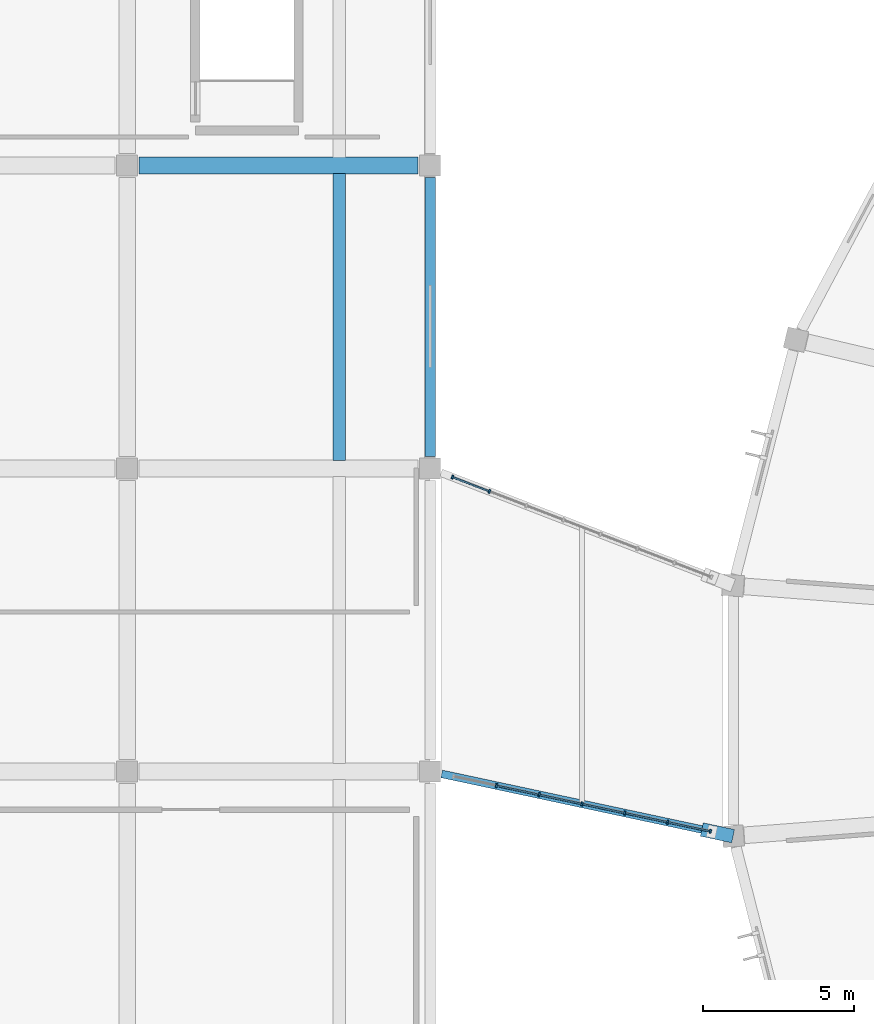
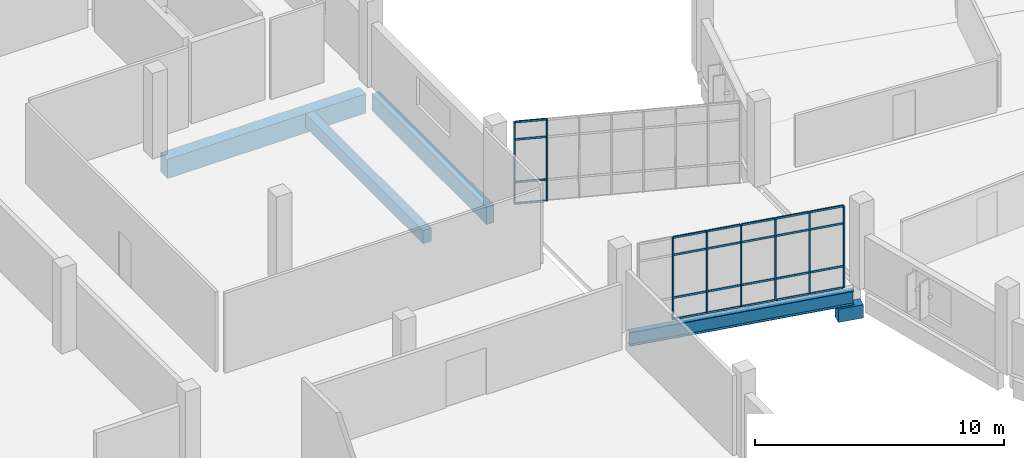
# One storey, part 8 of 142: 32 members, 5 beams, 2 elements without a shape of their own.
"""IFC4 building model written with IfcOpenShell, lengths in metres."""

from ifc_helpers import new_model, si_unit, direction, frame, origin, origin_2d, place, context, subcontext, project, spatial, rectangle, i_section, extrude, material, layer, layer_set, material_profile, profile_set, type_object, element, aggregate, save


model = new_model("IFC4")

# Units and contexts
model_context = context("Model", 3, precision=1e-05, world=origin(), true_north=direction((0.0, 1.0)))
body_context = subcontext(model_context, "Body", "Model", "MODEL_VIEW")
ifc_project = project(units=[si_unit("LENGTHUNIT", "METRE"), si_unit("AREAUNIT", "SQUARE_METRE"), si_unit("VOLUMEUNIT", "CUBIC_METRE"), si_unit("PLANEANGLEUNIT", "RADIAN"), si_unit("MASSUNIT", "GRAM", prefix="KILO")], contexts=[model_context])

# Site, building, storey
site_placement = place(None, origin())
site = spatial("IfcSite", under=ifc_project, at=site_placement, CompositionType="ELEMENT")
building_placement = place(site_placement, origin())
building = spatial("IfcBuilding", under=site, at=building_placement, Name="Corvandel Quay Wholesale Market", CompositionType="ELEMENT")
storey_placement = place(building_placement, frame((0.0, 0.0, 10.800048828125)))
storey = spatial("IfcBuildingStorey", under=building, at=storey_placement, Name="L02", CompositionType="ELEMENT", Elevation=10.800048828125)

# Beam
ifc_material_1 = material(Name="Steel A992 Grade 50", Category="steel")
ifc_material_profile_1 = material_profile(ifc_material_1, i_section(OverallWidth=0.25390625, OverallDepth=0.68310546875, WebThickness=0.012451171875, FlangeThickness=0.018798828125, at=origin_2d()), Name="W27X94")
ifc_profile_set_1 = profile_set([ifc_material_profile_1], Name="Steel A992 Grade 50")
beam_type_1 = type_object("IfcBeamType", Name="Bridge Link Steel Girder SG01 W27X94", PredefinedType="USERDEFINED", material=ifc_profile_set_1)
beam_1_placement = place(storey_placement, frame((50.38134765625, 39.91845703125, -0.5615234375), z_axis=(0.977919206475, -0.208983314184, 0.0), x_axis=(0.208983314184, 0.977919206475, 0.0)))
element("IfcBeam", 1, at=beam_1_placement, inside=storey, type_object=beam_type_1, Name="Beam BM-1782", ObjectType="GIRDER", PredefinedType="USERDEFINED", context=body_context, shape_type="SweptSolid", body=[
    extrude(i_section(OverallWidth=0.25390625, OverallDepth=0.68310546875, WebThickness=0.012451171875, FlangeThickness=0.018798828125, at=origin_2d()), origin(), (0.0, 0.0, 1.0), 9.470947265625),
])

# Curtain wall, members
ifc_material_2 = material(Name="Bronze anodised aluminium and low-E insulated glazing", Category="aluminium")
ifc_layer_1 = layer(ifc_material_2, 0.162109375)
ifc_layer_set_1 = layer_set([ifc_layer_1], Name="Bronze anodised aluminium and low-E insulated glazing")
curtain_wall_type_1 = type_object("IfcCurtainWallType", Name="Stick Curtain Wall System CW21 H4890", PredefinedType="NOTDEFINED", material=ifc_layer_set_1)
curtain_wall_1_placement = place(storey_placement, origin())
curtain_wall_1 = element("IfcCurtainWall", 2, at=curtain_wall_1_placement, inside=storey, type_object=curtain_wall_type_1, Name="Curtain Wall CW-0174", PredefinedType="NOTDEFINED")
ifc_material_3 = material(Name="Anodised aluminium 6063-T6", Category="aluminium")
ifc_material_profile_2 = material_profile(ifc_material_3, rectangle(XDim=0.06005859375, YDim=0.1298828125, at=origin_2d()), Name="ALU-MUL-60x130")
ifc_profile_set_2 = profile_set([ifc_material_profile_2], Name="Anodised aluminium 6063-T6")
member_type_1 = type_object("IfcMemberType", Name="Clerestory Mullion ML03 60x130", PredefinedType="MULLION", material=ifc_profile_set_2)
member_1_placement = place(storey_placement, frame((52.185791015625, 39.532958984375, -0.030029296875), z_axis=(0.0, 0.0, 1.0), x_axis=(-0.977929339831, 0.208935890402, 0.0)))
member_1 = element("IfcMember", 3, at=member_1_placement, type_object=member_type_1, Name="Mullion CW-0174-M01", PredefinedType="MULLION", context=body_context, shape_type="SweptSolid", body=[
    extrude(rectangle(XDim=0.06005859375, YDim=0.1298828125, at=origin_2d()), origin(), (0.0, 0.0, 1.0), 4.0),
])
member_2_placement = place(storey_placement, frame((53.59912109375, 39.23095703125, -0.030029296875), z_axis=(0.0, 0.0, 1.0), x_axis=(-0.977929339831, 0.208935890402, 0.0)))
member_2 = element("IfcMember", 4, at=member_2_placement, type_object=member_type_1, Name="Mullion CW-0174-M02", PredefinedType="MULLION", context=body_context, shape_type="SweptSolid", body=[
    extrude(rectangle(XDim=0.06005859375, YDim=0.1298828125, at=origin_2d()), origin(), (0.0, 0.0, 1.0), 4.0),
])
member_3_placement = place(storey_placement, frame((55.01220703125, 38.928955078125, -0.030029296875), z_axis=(0.0, 0.0, 1.0), x_axis=(-0.977929339831, 0.208935890402, 0.0)))
member_3 = element("IfcMember", 5, at=member_3_placement, type_object=member_type_1, Name="Mullion CW-0174-M03", PredefinedType="MULLION", context=body_context, shape_type="SweptSolid", body=[
    extrude(rectangle(XDim=0.06005859375, YDim=0.1298828125, at=origin_2d()), origin(), (0.0, 0.0, 1.0), 4.0),
])
member_4_placement = place(storey_placement, frame((56.425537109375, 38.626953125, -0.030029296875), z_axis=(0.0, 0.0, 1.0), x_axis=(-0.977929339831, 0.208935890402, 0.0)))
member_4 = element("IfcMember", 6, at=member_4_placement, type_object=member_type_1, Name="Mullion CW-0174-M04", PredefinedType="MULLION", context=body_context, shape_type="SweptSolid", body=[
    extrude(rectangle(XDim=0.06005859375, YDim=0.1298828125, at=origin_2d()), origin(), (0.0, 0.0, 1.0), 4.0),
])
member_5_placement = place(storey_placement, frame((57.8388671875, 38.324951171875, -0.030029296875), z_axis=(0.0, 0.0, 1.0), x_axis=(-0.977929339831, 0.208935890402, 0.0)))
member_5 = element("IfcMember", 7, at=member_5_placement, type_object=member_type_1, Name="Mullion CW-0174-M05", PredefinedType="MULLION", context=body_context, shape_type="SweptSolid", body=[
    extrude(rectangle(XDim=0.06005859375, YDim=0.1298828125, at=origin_2d()), origin(), (0.0, 0.0, 1.0), 4.0),
])
member_6_placement = place(storey_placement, frame((59.251953125, 38.02294921875, -0.030029296875), z_axis=(0.0, 0.0, 1.0), x_axis=(-0.977929339831, 0.208935890402, 0.0)))
member_6 = element("IfcMember", 8, at=member_6_placement, type_object=member_type_1, Name="Mullion CW-0174-M06", PredefinedType="MULLION", context=body_context, shape_type="SweptSolid", body=[
    extrude(rectangle(XDim=0.06005859375, YDim=0.1298828125, at=origin_2d()), origin(), (0.0, 0.0, 1.0), 4.0),
])

ifc_layer_2 = layer(ifc_material_2, 0.174072265625)
ifc_layer_set_2 = layer_set([ifc_layer_2], Name="Bronze anodised aluminium and low-E insulated glazing")
curtain_wall_type_2 = type_object("IfcCurtainWallType", Name="Stick Curtain Wall System CW22 H4980", PredefinedType="NOTDEFINED", material=ifc_layer_set_2)
curtain_wall_2_placement = place(storey_placement, origin())
curtain_wall_2 = element("IfcCurtainWall", 9, at=curtain_wall_2_placement, inside=storey, type_object=curtain_wall_type_2, Name="Curtain Wall CW-0175", PredefinedType="NOTDEFINED")
member_7_placement = place(storey_placement, frame((50.73681640625, 49.71533203125, -0.030029296875), z_axis=(0.0, 0.0, 1.0), x_axis=(-0.932827815397, 0.3603224484, 0.0)))
member_7 = element("IfcMember", 10, at=member_7_placement, type_object=member_type_1, Name="Mullion CW-0175-M00", PredefinedType="MULLION", context=body_context, shape_type="SweptSolid", body=[
    extrude(rectangle(XDim=0.06005859375, YDim=0.1298828125, at=origin_2d()), origin(), (0.0, 0.0, 1.0), 4.0),
])
member_8_placement = place(storey_placement, frame((51.958251953125, 49.243408203125, -0.030029296875), z_axis=(0.0, 0.0, 1.0), x_axis=(-0.932827815397, 0.3603224484, 0.0)))
member_8 = element("IfcMember", 11, at=member_8_placement, type_object=member_type_1, Name="Mullion CW-0175-M01", PredefinedType="MULLION", context=body_context, shape_type="SweptSolid", body=[
    extrude(rectangle(XDim=0.06005859375, YDim=0.1298828125, at=origin_2d()), origin(), (0.0, 0.0, 1.0), 4.0),
])

# Member
ifc_material_profile_3 = material_profile(ifc_material_3, rectangle(XDim=0.054931640625, YDim=0.094970703125, at=origin_2d()), Name="ALU-TRN-55x95")
ifc_profile_set_3 = profile_set([ifc_material_profile_3], Name="Anodised aluminium 6063-T6")
member_type_2 = type_object("IfcMemberType", Name="Clerestory Transom TR03 55x95", PredefinedType="USERDEFINED", material=ifc_profile_set_3)
member_9_placement = place(storey_placement, frame((52.215087890625, 39.526611328125, -0.030029296875), z_axis=(0.977941493657, -0.208878996032, 0.0), x_axis=(0.208878996032, 0.977941493657, 0.0)))
member_9 = element("IfcMember", 12, at=member_9_placement, type_object=member_type_2, Name="Transom CW-0174-T01-0", ObjectType="TRANSOM", PredefinedType="USERDEFINED", context=body_context, shape_type="SweptSolid", body=[
    extrude(rectangle(XDim=0.054931640625, YDim=0.094970703125, at=origin_2d()), origin(), (0.0, 0.0, 1.0), 1.385009765625),
])

member_10_placement = place(storey_placement, frame((52.215087890625, 39.526611328125, 1.02001953125), z_axis=(0.977941493657, -0.208878996032, 0.0), x_axis=(0.208878996032, 0.977941493657, 0.0)))
member_10 = element("IfcMember", 13, at=member_10_placement, type_object=member_type_2, Name="Transom CW-0174-T01-1", ObjectType="TRANSOM", PredefinedType="USERDEFINED", context=body_context, shape_type="SweptSolid", body=[
    extrude(rectangle(XDim=0.054931640625, YDim=0.094970703125, at=origin_2d()), origin(), (0.0, 0.0, 1.0), 1.385009765625),
])

member_11_placement = place(storey_placement, frame((52.215087890625, 39.526611328125, 3.119873046875), z_axis=(0.977941493657, -0.208878996032, 0.0), x_axis=(0.208878996032, 0.977941493657, 0.0)))
member_11 = element("IfcMember", 14, at=member_11_placement, type_object=member_type_2, Name="Transom CW-0174-T01-2", ObjectType="TRANSOM", PredefinedType="USERDEFINED", context=body_context, shape_type="SweptSolid", body=[
    extrude(rectangle(XDim=0.054931640625, YDim=0.094970703125, at=origin_2d()), origin(), (0.0, 0.0, 1.0), 1.385009765625),
])

member_12_placement = place(storey_placement, frame((52.215087890625, 39.526611328125, 3.969970703125), z_axis=(0.977941493657, -0.208878996032, 0.0), x_axis=(0.208878996032, 0.977941493657, 0.0)))
member_12 = element("IfcMember", 15, at=member_12_placement, type_object=member_type_2, Name="Transom CW-0174-T01-3", ObjectType="TRANSOM", PredefinedType="USERDEFINED", context=body_context, shape_type="SweptSolid", body=[
    extrude(rectangle(XDim=0.054931640625, YDim=0.094970703125, at=origin_2d()), origin(), (0.0, 0.0, 1.0), 1.385009765625),
])

member_13_placement = place(storey_placement, frame((53.62841796875, 39.224609375, -0.030029296875), z_axis=(0.977941493657, -0.208878996032, 0.0), x_axis=(0.208878996032, 0.977941493657, 0.0)))
member_13 = element("IfcMember", 16, at=member_13_placement, type_object=member_type_2, Name="Transom CW-0174-T02-0", ObjectType="TRANSOM", PredefinedType="USERDEFINED", context=body_context, shape_type="SweptSolid", body=[
    extrude(rectangle(XDim=0.054931640625, YDim=0.094970703125, at=origin_2d()), origin(), (0.0, 0.0, 1.0), 1.385009765625),
])

member_14_placement = place(storey_placement, frame((53.62841796875, 39.224609375, 1.02001953125), z_axis=(0.977941493657, -0.208878996032, 0.0), x_axis=(0.208878996032, 0.977941493657, 0.0)))
member_14 = element("IfcMember", 17, at=member_14_placement, type_object=member_type_2, Name="Transom CW-0174-T02-1", ObjectType="TRANSOM", PredefinedType="USERDEFINED", context=body_context, shape_type="SweptSolid", body=[
    extrude(rectangle(XDim=0.054931640625, YDim=0.094970703125, at=origin_2d()), origin(), (0.0, 0.0, 1.0), 1.385009765625),
])

member_15_placement = place(storey_placement, frame((53.62841796875, 39.224609375, 3.119873046875), z_axis=(0.977941493657, -0.208878996032, 0.0), x_axis=(0.208878996032, 0.977941493657, 0.0)))
member_15 = element("IfcMember", 18, at=member_15_placement, type_object=member_type_2, Name="Transom CW-0174-T02-2", ObjectType="TRANSOM", PredefinedType="USERDEFINED", context=body_context, shape_type="SweptSolid", body=[
    extrude(rectangle(XDim=0.054931640625, YDim=0.094970703125, at=origin_2d()), origin(), (0.0, 0.0, 1.0), 1.385009765625),
])

member_16_placement = place(storey_placement, frame((53.62841796875, 39.224609375, 3.969970703125), z_axis=(0.977941493657, -0.208878996032, 0.0), x_axis=(0.208878996032, 0.977941493657, 0.0)))
member_16 = element("IfcMember", 19, at=member_16_placement, type_object=member_type_2, Name="Transom CW-0174-T02-3", ObjectType="TRANSOM", PredefinedType="USERDEFINED", context=body_context, shape_type="SweptSolid", body=[
    extrude(rectangle(XDim=0.054931640625, YDim=0.094970703125, at=origin_2d()), origin(), (0.0, 0.0, 1.0), 1.385009765625),
])

member_17_placement = place(storey_placement, frame((55.04150390625, 38.922607421875, -0.030029296875), z_axis=(0.977949182371, -0.208842995334, 0.0), x_axis=(0.208842995334, 0.977949182371, 0.0)))
member_17 = element("IfcMember", 20, at=member_17_placement, type_object=member_type_2, Name="Transom CW-0174-T03-0", ObjectType="TRANSOM", PredefinedType="USERDEFINED", context=body_context, shape_type="SweptSolid", body=[
    extrude(rectangle(XDim=0.054931640625, YDim=0.094970703125, at=origin_2d()), origin(), (0.0, 0.0, 1.0), 1.38525390625),
])

member_18_placement = place(storey_placement, frame((55.04150390625, 38.922607421875, 1.02001953125), z_axis=(0.977949182371, -0.208842995334, 0.0), x_axis=(0.208842995334, 0.977949182371, 0.0)))
member_18 = element("IfcMember", 21, at=member_18_placement, type_object=member_type_2, Name="Transom CW-0174-T03-1", ObjectType="TRANSOM", PredefinedType="USERDEFINED", context=body_context, shape_type="SweptSolid", body=[
    extrude(rectangle(XDim=0.054931640625, YDim=0.094970703125, at=origin_2d()), origin(), (0.0, 0.0, 1.0), 1.38525390625),
])

member_19_placement = place(storey_placement, frame((55.04150390625, 38.922607421875, 3.119873046875), z_axis=(0.977949182371, -0.208842995334, 0.0), x_axis=(0.208842995334, 0.977949182371, 0.0)))
member_19 = element("IfcMember", 22, at=member_19_placement, type_object=member_type_2, Name="Transom CW-0174-T03-2", ObjectType="TRANSOM", PredefinedType="USERDEFINED", context=body_context, shape_type="SweptSolid", body=[
    extrude(rectangle(XDim=0.054931640625, YDim=0.094970703125, at=origin_2d()), origin(), (0.0, 0.0, 1.0), 1.38525390625),
])

member_20_placement = place(storey_placement, frame((55.04150390625, 38.922607421875, 3.969970703125), z_axis=(0.977949182371, -0.208842995334, 0.0), x_axis=(0.208842995334, 0.977949182371, 0.0)))
member_20 = element("IfcMember", 23, at=member_20_placement, type_object=member_type_2, Name="Transom CW-0174-T03-3", ObjectType="TRANSOM", PredefinedType="USERDEFINED", context=body_context, shape_type="SweptSolid", body=[
    extrude(rectangle(XDim=0.054931640625, YDim=0.094970703125, at=origin_2d()), origin(), (0.0, 0.0, 1.0), 1.38525390625),
])

member_21_placement = place(storey_placement, frame((56.454833984375, 38.62060546875, -0.030029296875), z_axis=(0.977941493657, -0.208878996032, 0.0), x_axis=(0.208878996032, 0.977941493657, 0.0)))
member_21 = element("IfcMember", 24, at=member_21_placement, type_object=member_type_2, Name="Transom CW-0174-T04-0", ObjectType="TRANSOM", PredefinedType="USERDEFINED", context=body_context, shape_type="SweptSolid", body=[
    extrude(rectangle(XDim=0.054931640625, YDim=0.094970703125, at=origin_2d()), origin(), (0.0, 0.0, 1.0), 1.385009765625),
])

member_22_placement = place(storey_placement, frame((56.454833984375, 38.62060546875, 1.02001953125), z_axis=(0.977941493657, -0.208878996032, 0.0), x_axis=(0.208878996032, 0.977941493657, 0.0)))
member_22 = element("IfcMember", 25, at=member_22_placement, type_object=member_type_2, Name="Transom CW-0174-T04-1", ObjectType="TRANSOM", PredefinedType="USERDEFINED", context=body_context, shape_type="SweptSolid", body=[
    extrude(rectangle(XDim=0.054931640625, YDim=0.094970703125, at=origin_2d()), origin(), (0.0, 0.0, 1.0), 1.385009765625),
])

member_23_placement = place(storey_placement, frame((56.454833984375, 38.62060546875, 3.119873046875), z_axis=(0.977941493657, -0.208878996032, 0.0), x_axis=(0.208878996032, 0.977941493657, 0.0)))
member_23 = element("IfcMember", 26, at=member_23_placement, type_object=member_type_2, Name="Transom CW-0174-T04-2", ObjectType="TRANSOM", PredefinedType="USERDEFINED", context=body_context, shape_type="SweptSolid", body=[
    extrude(rectangle(XDim=0.054931640625, YDim=0.094970703125, at=origin_2d()), origin(), (0.0, 0.0, 1.0), 1.385009765625),
])

member_24_placement = place(storey_placement, frame((56.454833984375, 38.62060546875, 3.969970703125), z_axis=(0.977941493657, -0.208878996032, 0.0), x_axis=(0.208878996032, 0.977941493657, 0.0)))
member_24 = element("IfcMember", 27, at=member_24_placement, type_object=member_type_2, Name="Transom CW-0174-T04-3", ObjectType="TRANSOM", PredefinedType="USERDEFINED", context=body_context, shape_type="SweptSolid", body=[
    extrude(rectangle(XDim=0.054931640625, YDim=0.094970703125, at=origin_2d()), origin(), (0.0, 0.0, 1.0), 1.385009765625),
])

member_25_placement = place(storey_placement, frame((57.8681640625, 38.318603515625, -0.030029296875), z_axis=(0.977941493657, -0.208878996032, 0.0), x_axis=(0.208878996032, 0.977941493657, 0.0)))
member_25 = element("IfcMember", 28, at=member_25_placement, type_object=member_type_2, Name="Transom CW-0174-T05-0", ObjectType="TRANSOM", PredefinedType="USERDEFINED", context=body_context, shape_type="SweptSolid", body=[
    extrude(rectangle(XDim=0.054931640625, YDim=0.094970703125, at=origin_2d()), origin(), (0.0, 0.0, 1.0), 1.385009765625),
])

member_26_placement = place(storey_placement, frame((57.8681640625, 38.318603515625, 1.02001953125), z_axis=(0.977941493657, -0.208878996032, 0.0), x_axis=(0.208878996032, 0.977941493657, 0.0)))
member_26 = element("IfcMember", 29, at=member_26_placement, type_object=member_type_2, Name="Transom CW-0174-T05-1", ObjectType="TRANSOM", PredefinedType="USERDEFINED", context=body_context, shape_type="SweptSolid", body=[
    extrude(rectangle(XDim=0.054931640625, YDim=0.094970703125, at=origin_2d()), origin(), (0.0, 0.0, 1.0), 1.385009765625),
])

member_27_placement = place(storey_placement, frame((57.8681640625, 38.318603515625, 3.119873046875), z_axis=(0.977941493657, -0.208878996032, 0.0), x_axis=(0.208878996032, 0.977941493657, 0.0)))
member_27 = element("IfcMember", 30, at=member_27_placement, type_object=member_type_2, Name="Transom CW-0174-T05-2", ObjectType="TRANSOM", PredefinedType="USERDEFINED", context=body_context, shape_type="SweptSolid", body=[
    extrude(rectangle(XDim=0.054931640625, YDim=0.094970703125, at=origin_2d()), origin(), (0.0, 0.0, 1.0), 1.385009765625),
])

member_28_placement = place(storey_placement, frame((57.8681640625, 38.318603515625, 3.969970703125), z_axis=(0.977941493657, -0.208878996032, 0.0), x_axis=(0.208878996032, 0.977941493657, 0.0)))
member_28 = element("IfcMember", 31, at=member_28_placement, type_object=member_type_2, Name="Transom CW-0174-T05-3", ObjectType="TRANSOM", PredefinedType="USERDEFINED", context=body_context, shape_type="SweptSolid", body=[
    extrude(rectangle(XDim=0.054931640625, YDim=0.094970703125, at=origin_2d()), origin(), (0.0, 0.0, 1.0), 1.385009765625),
])

aggregate(curtain_wall_1, [member_1, member_2, member_3, member_4, member_5, member_6, member_9, member_10, member_11, member_12, member_13, member_14, member_15, member_16, member_17, member_18, member_19, member_20, member_21, member_22, member_23, member_24, member_25, member_26, member_27, member_28])

member_29_placement = place(storey_placement, frame((50.764892578125, 49.70458984375, -0.030029296875), z_axis=(0.932830974992, -0.360314268514, 0.0), x_axis=(0.360314268514, 0.932830974992, 0.0)))
member_29 = element("IfcMember", 32, at=member_29_placement, type_object=member_type_2, Name="Transom CW-0175-T00-0", ObjectType="TRANSOM", PredefinedType="USERDEFINED", context=body_context, shape_type="SweptSolid", body=[
    extrude(rectangle(XDim=0.054931640625, YDim=0.094970703125, at=origin_2d()), origin(), (0.0, 0.0, 1.0), 1.24951171875),
])

member_30_placement = place(storey_placement, frame((50.764892578125, 49.70458984375, 1.02001953125), z_axis=(0.932830974992, -0.360314268514, 0.0), x_axis=(0.360314268514, 0.932830974992, 0.0)))
member_30 = element("IfcMember", 33, at=member_30_placement, type_object=member_type_2, Name="Transom CW-0175-T00-1", ObjectType="TRANSOM", PredefinedType="USERDEFINED", context=body_context, shape_type="SweptSolid", body=[
    extrude(rectangle(XDim=0.054931640625, YDim=0.094970703125, at=origin_2d()), origin(), (0.0, 0.0, 1.0), 1.24951171875),
])

member_31_placement = place(storey_placement, frame((50.764892578125, 49.70458984375, 3.119873046875), z_axis=(0.932830974992, -0.360314268514, 0.0), x_axis=(0.360314268514, 0.932830974992, 0.0)))
member_31 = element("IfcMember", 34, at=member_31_placement, type_object=member_type_2, Name="Transom CW-0175-T00-2", ObjectType="TRANSOM", PredefinedType="USERDEFINED", context=body_context, shape_type="SweptSolid", body=[
    extrude(rectangle(XDim=0.054931640625, YDim=0.094970703125, at=origin_2d()), origin(), (0.0, 0.0, 1.0), 1.24951171875),
])

member_32_placement = place(storey_placement, frame((50.764892578125, 49.70458984375, 3.969970703125), z_axis=(0.932830974992, -0.360314268514, 0.0), x_axis=(0.360314268514, 0.932830974992, 0.0)))
member_32 = element("IfcMember", 35, at=member_32_placement, type_object=member_type_2, Name="Transom CW-0175-T00-3", ObjectType="TRANSOM", PredefinedType="USERDEFINED", context=body_context, shape_type="SweptSolid", body=[
    extrude(rectangle(XDim=0.054931640625, YDim=0.094970703125, at=origin_2d()), origin(), (0.0, 0.0, 1.0), 1.24951171875),
])

aggregate(curtain_wall_2, [member_7, member_8, member_29, member_30, member_31, member_32])

# Beams
ifc_material_4 = material(Name="Precast concrete C45/55", Category="concrete")
ifc_material_profile_4 = material_profile(ifc_material_4, rectangle(XDim=0.550048828125, YDim=0.949951171875, at=origin_2d()), Name="PC-GIR-550x950")
ifc_profile_set_4 = profile_set([ifc_material_profile_4], Name="Precast concrete C45/55")
beam_type_2 = type_object("IfcBeamType", Name="Cold Store Floor Girder G02 550x950", PredefinedType="USERDEFINED", material=ifc_profile_set_4)
beam_2_placement = place(storey_placement, frame((40.39501953125, 60.0, -0.795166015625), z_axis=(1.0, 0.0, 0.0), x_axis=(0.0, 1.0, 0.0)))
element("IfcBeam", 36, at=beam_2_placement, inside=storey, type_object=beam_type_2, Name="Beam BM-1166", ObjectType="GIRDER", PredefinedType="USERDEFINED", context=body_context, shape_type="SweptSolid", body=[
    extrude(rectangle(XDim=0.550048828125, YDim=0.949951171875, at=origin_2d()), origin(), (0.0, 0.0, 1.0), 9.2099609375),
])
ifc_material_profile_5 = material_profile(ifc_material_4, rectangle(XDim=0.39990234375, YDim=0.64990234375, at=origin_2d()), Name="PC-BM-400x650")
ifc_profile_set_5 = profile_set([ifc_material_profile_5], Name="Precast concrete C45/55")
beam_type_3 = type_object("IfcBeamType", Name="Cold Store Secondary Beam B01 400x650", PredefinedType="BEAM", material=ifc_profile_set_5)
beam_3_placement = place(storey_placement, frame((47.0, 50.264892578125, -0.64501953125), z_axis=(0.0, 1.0, 0.0), x_axis=(-1.0, 0.0, 0.0)))
element("IfcBeam", 37, at=beam_3_placement, inside=storey, type_object=beam_type_3, Name="Beam BM-1273", PredefinedType="BEAM", context=body_context, shape_type="SweptSolid", body=[
    extrude(rectangle(XDim=0.39990234375, YDim=0.64990234375, at=origin_2d()), origin(), (0.0, 0.0, 1.0), 9.47021484375),
])
ifc_material_profile_6 = material_profile(ifc_material_4, rectangle(XDim=0.35009765625, YDim=0.85009765625, at=origin_2d()), Name="PC-SPN-350x850")
ifc_profile_set_6 = profile_set([ifc_material_profile_6], Name="Precast concrete C45/55")
beam_type_4 = type_object("IfcBeamType", Name="Perimeter Precast Spandrel SP01 350x850", PredefinedType="SPANDREL", material=ifc_profile_set_6)
beam_4_placement = place(storey_placement, frame((50.0, 50.39501953125, -0.7451171875), z_axis=(0.0, 1.0, 0.0), x_axis=(-1.0, 0.0, 0.0)))
element("IfcBeam", 38, at=beam_4_placement, inside=storey, type_object=beam_type_4, Name="Beam BM-1234", PredefinedType="SPANDREL", context=body_context, shape_type="SweptSolid", body=[
    extrude(rectangle(XDim=0.35009765625, YDim=0.85009765625, at=origin_2d()), origin(), (0.0, 0.0, 1.0), 9.2099609375),
])
ifc_material_profile_7 = material_profile(ifc_material_4, rectangle(XDim=0.449951171875, YDim=0.64990234375, at=origin_2d()), Name="PC-COR-680x650")
ifc_profile_set_7 = profile_set([ifc_material_profile_7], Name="Precast concrete C45/55")
beam_type_5 = type_object("IfcBeamType", Name="Seismic Joint Precast Corbel CB01 680x650", PredefinedType="BEAM", material=ifc_profile_set_7)
beam_5_placement = place(storey_placement, frame((60.0, 37.863037109375, -1.22802734375), z_axis=(-0.977924160321, 0.208960131749, 0.0), x_axis=(-0.208960131749, -0.977924160321, 0.0)))
element("IfcBeam", 39, at=beam_5_placement, inside=storey, type_object=beam_type_5, Name="Beam BM-1781", PredefinedType="BEAM", context=body_context, shape_type="SweptSolid", body=[
    extrude(rectangle(XDim=0.449951171875, YDim=0.64990234375, at=origin_2d()), origin(), (0.0, 0.0, 1.0), 1.054931640625),
])

save(model, "model.ifc")
